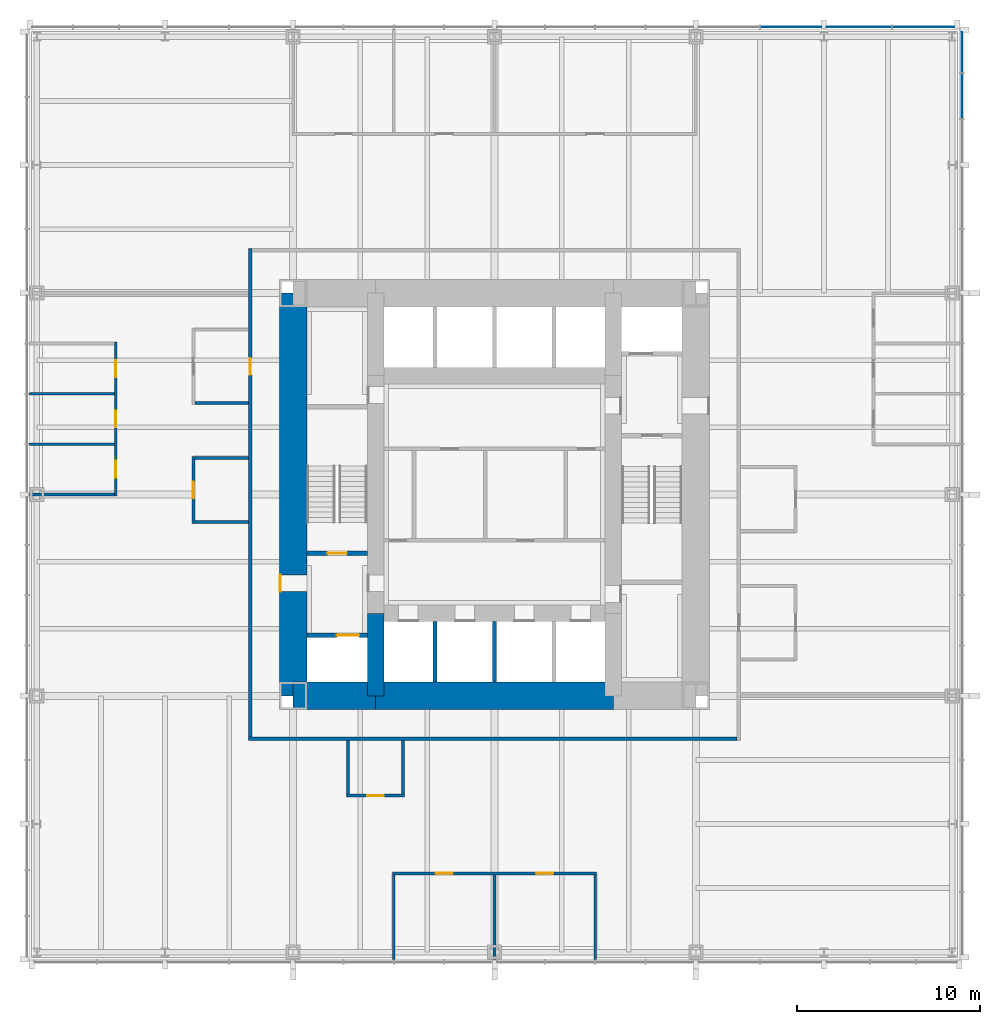
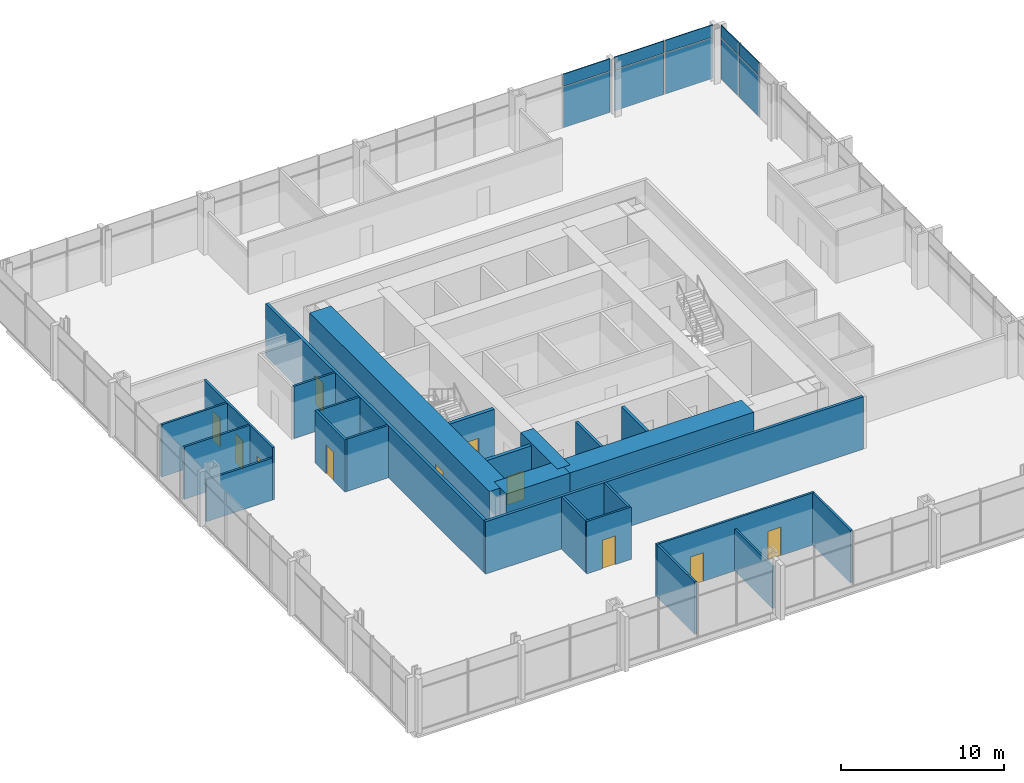
# One storey, part 9 of 12: 25 walls, 11 doors, 10 plates, 11 openings, 2 elements without a shape of their own.
"""IFC4 building model written with IfcOpenShell, lengths in metres."""

from ifc_helpers import new_model, si_unit, direction, frame, frame_2d, origin, origin_2d, place, context, subcontext, project, spatial, rectangle, extrude, material, layer, layer_set, type_object, element, fill, aggregate, save


model = new_model("IFC4")

# Units and contexts
model_context = context("Model", 3, precision=1e-05, world=origin(), true_north=direction((0.0, 1.0)))
body_context = subcontext(model_context, "Body", "Model", "MODEL_VIEW")
ifc_project = project(units=[si_unit("LENGTHUNIT", "METRE"), si_unit("AREAUNIT", "SQUARE_METRE"), si_unit("VOLUMEUNIT", "CUBIC_METRE"), si_unit("PLANEANGLEUNIT", "RADIAN"), si_unit("MASSUNIT", "GRAM", prefix="KILO")], contexts=[model_context])

# Site, building, storey
site_placement = place(None, origin())
site = spatial("IfcSite", under=ifc_project, at=site_placement, CompositionType="ELEMENT")
building_placement = place(site_placement, origin())
building = spatial("IfcBuilding", under=site, at=building_placement, Name="Trevanion Tower", CompositionType="ELEMENT")
storey_placement = place(building_placement, frame((0.0, 0.0, 57.0)))
storey = spatial("IfcBuildingStorey", under=building, at=storey_placement, Name="L13", CompositionType="ELEMENT", Elevation=57.0)

# Curtain wall, plates
ifc_material_1 = material(Name="Aluminium and glass", Category="aluminium")
curtain_wall_type = type_object("IfcCurtainWallType", Name="CW1 curtain wall", PredefinedType="USERDEFINED", material=ifc_material_1)
curtain_wall_1_placement = place(storey_placement, origin())
curtain_wall_1 = element("IfcCurtainWall", 1, at=curtain_wall_1_placement, inside=storey, type_object=curtain_wall_type, Name="CW1 L13 0", ObjectType="UNITISED CURTAIN WALL", PredefinedType="USERDEFINED")
ifc_material_2 = material(Name="Aluminium spandrel panel", Category="aluminium")
ifc_layer_1 = layer(ifc_material_2, 0.06005859375)
ifc_layer_set_1 = layer_set([ifc_layer_1], Name="CW1 spandrel panel")
plate_type_1 = type_object("IfcPlateType", Name="CW1 spandrel panel", PredefinedType="CURTAIN_PANEL", material=ifc_layer_set_1)
plate_1_placement = place(storey_placement, frame((25.550048828125, 21.77490234375, 2.997314453125), z_axis=(0.0, 0.0, 1.0), x_axis=(0.0, 1.0, 0.0)))
plate_1 = element("IfcPlate", 2, at=plate_1_placement, type_object=plate_type_1, Name="CW1 panel 16.2", PredefinedType="CURTAIN_PANEL", context=body_context, shape_type="SweptSolid", body=[
    extrude(rectangle(XDim=2.441650390625, YDim=0.06005859375, at=origin_2d()), origin(), (0.0, 0.0, 1.0), 0.91259765625),
])
plate_2_placement = place(storey_placement, frame((25.550048828125, 24.160400390625, 2.997314453125), z_axis=(0.0, 0.0, 1.0), x_axis=(0.0, 1.0, 0.0)))
plate_2 = element("IfcPlate", 3, at=plate_2_placement, type_object=plate_type_1, Name="CW1 panel 17.2", PredefinedType="CURTAIN_PANEL", context=body_context, shape_type="SweptSolid", body=[
    extrude(rectangle(XDim=2.17919921875, YDim=0.06005859375, at=origin_2d()), origin(), (0.0, 0.0, 1.0), 0.91259765625),
])

curtain_wall_2_placement = place(storey_placement, origin())
curtain_wall_2 = element("IfcCurtainWall", 4, at=curtain_wall_2_placement, inside=storey, type_object=curtain_wall_type, Name="CW1 L13 1", ObjectType="UNITISED CURTAIN WALL", PredefinedType="USERDEFINED")
plate_3_placement = place(storey_placement, frame((23.433837890625, 25.550048828125, 2.997314453125), z_axis=(0.0, 0.0, 1.0), x_axis=(-1.0, 0.0, 0.0)))
plate_3 = element("IfcPlate", 5, at=plate_3_placement, type_object=plate_type_1, Name="CW1 panel 1.2", PredefinedType="CURTAIN_PANEL", context=body_context, shape_type="SweptSolid", body=[
    extrude(rectangle(XDim=3.37255859375, YDim=0.06005859375, at=origin_2d()), origin(), (0.0, 0.0, 1.0), 0.91259765625),
])
plate_4_placement = place(storey_placement, frame((19.911376953125, 25.550048828125, 2.997314453125), z_axis=(0.0, 0.0, 1.0), x_axis=(-1.0, 0.0, 0.0)))
plate_4 = element("IfcPlate", 6, at=plate_4_placement, type_object=plate_type_1, Name="CW1 panel 2.2", PredefinedType="CURTAIN_PANEL", context=body_context, shape_type="SweptSolid", body=[
    extrude(rectangle(XDim=3.5224609375, YDim=0.06005859375, at=origin_2d()), origin(), (0.0, 0.0, 1.0), 0.91259765625),
])
plate_5_placement = place(storey_placement, frame((16.19384765625, 25.550048828125, 2.997314453125), z_axis=(0.0, 0.0, 1.0), x_axis=(-1.0, 0.0, 0.0)))
plate_5 = element("IfcPlate", 7, at=plate_5_placement, type_object=plate_type_1, Name="CW1 panel 3.2", PredefinedType="CURTAIN_PANEL", context=body_context, shape_type="SweptSolid", body=[
    extrude(rectangle(XDim=3.3125, YDim=0.06005859375, at=origin_2d()), origin(), (0.0, 0.0, 1.0), 0.91259765625),
])

# Plate
ifc_material_3 = material(Name="Insulating glass unit", Category="glass")
ifc_layer_2 = layer(ifc_material_3, 0.028076171875)
ifc_layer_set_2 = layer_set([ifc_layer_2], Name="CW1 vision panel")
plate_type_2 = type_object("IfcPlateType", Name="CW1 vision panel", PredefinedType="CURTAIN_PANEL", material=ifc_layer_set_2)
plate_6_placement = place(storey_placement, frame((25.550048828125, 21.77490234375, -0.114990234375), z_axis=(0.0, 0.0, 1.0), x_axis=(0.0, 1.0, 0.0)))
plate_6 = element("IfcPlate", 8, at=plate_6_placement, type_object=plate_type_2, Name="CW1 panel 16.1", PredefinedType="CURTAIN_PANEL", context=body_context, shape_type="SweptSolid", body=[
    extrude(rectangle(XDim=2.441650390625, YDim=0.028076171875, at=origin_2d()), origin(), (0.0, 0.0, 1.0), 3.03759765625),
])

plate_7_placement = place(storey_placement, frame((25.550048828125, 24.160400390625, -0.114990234375), z_axis=(0.0, 0.0, 1.0), x_axis=(0.0, 1.0, 0.0)))
plate_7 = element("IfcPlate", 9, at=plate_7_placement, type_object=plate_type_2, Name="CW1 panel 17.1", PredefinedType="CURTAIN_PANEL", context=body_context, shape_type="SweptSolid", body=[
    extrude(rectangle(XDim=2.17919921875, YDim=0.028076171875, at=origin_2d()), origin(), (0.0, 0.0, 1.0), 3.03759765625),
])

aggregate(curtain_wall_1, [plate_6, plate_1, plate_7, plate_2])

plate_8_placement = place(storey_placement, frame((23.433837890625, 25.550048828125, -0.114990234375), z_axis=(0.0, 0.0, 1.0), x_axis=(-1.0, 0.0, 0.0)))
plate_8 = element("IfcPlate", 10, at=plate_8_placement, type_object=plate_type_2, Name="CW1 panel 1.1", PredefinedType="CURTAIN_PANEL", context=body_context, shape_type="SweptSolid", body=[
    extrude(rectangle(XDim=3.37255859375, YDim=0.028076171875, at=origin_2d()), origin(), (0.0, 0.0, 1.0), 3.03759765625),
])

plate_9_placement = place(storey_placement, frame((19.911376953125, 25.550048828125, -0.114990234375), z_axis=(0.0, 0.0, 1.0), x_axis=(-1.0, 0.0, 0.0)))
plate_9 = element("IfcPlate", 11, at=plate_9_placement, type_object=plate_type_2, Name="CW1 panel 2.1", PredefinedType="CURTAIN_PANEL", context=body_context, shape_type="SweptSolid", body=[
    extrude(rectangle(XDim=3.5224609375, YDim=0.028076171875, at=origin_2d()), origin(), (0.0, 0.0, 1.0), 3.03759765625),
])

plate_10_placement = place(storey_placement, frame((16.19384765625, 25.550048828125, -0.114990234375), z_axis=(0.0, 0.0, 1.0), x_axis=(-1.0, 0.0, 0.0)))
plate_10 = element("IfcPlate", 12, at=plate_10_placement, type_object=plate_type_2, Name="CW1 panel 3.1", PredefinedType="CURTAIN_PANEL", context=body_context, shape_type="SweptSolid", body=[
    extrude(rectangle(XDim=3.3125, YDim=0.028076171875, at=origin_2d()), origin(), (0.0, 0.0, 1.0), 3.03759765625),
])

aggregate(curtain_wall_2, [plate_8, plate_3, plate_9, plate_4, plate_10, plate_5])

# Wall, opening, door
ifc_material_4 = material(Name="Concrete 10,000 psi", Category="concrete")
ifc_layer_3 = layer(ifc_material_4, 1.5)
ifc_layer_set_3 = layer_set([ifc_layer_3], Name="CW1 core wall 1500")
wall_type_1 = type_object("IfcWallType", Name="CW1 core wall 1500", PredefinedType="SHEAR", material=ifc_layer_set_3)
wall_1_placement = place(storey_placement, frame((-11.0, 11.0, 0.0), z_axis=(0.0, 0.0, 1.0), x_axis=(0.0, -1.0, 0.0)))
wall_1 = element("IfcWall", 13, at=wall_1_placement, inside=storey, type_object=wall_type_1, Name="CW1 CW L13", PredefinedType="SHEAR", context=body_context, shape_type="SweptSolid", body=[
    extrude(rectangle(XDim=22.0, YDim=1.5, at=frame_2d((11.0, 0.0))), origin(), (0.0, 0.0, 1.0), 4.10009765625),
])
opening_1_placement = place(wall_1_placement, frame((15.392578125, 0.0, 0.0)))
opening_1 = element("IfcOpeningElement", 14, at=opening_1_placement, cuts=wall_1, Name="Opening 13-002", PredefinedType="OPENING", context=body_context, shape_type="SweptSolid", body=[
    extrude(rectangle(XDim=0.9150390625, YDim=2.134033203125, at=frame_2d((0.45751953125, 1.06689453125))), frame((0.0, 0.760009765625, 0.0), z_axis=(0.0, -1.0, 0.0), x_axis=(1.0, 0.0, 0.0)), (0.0, 0.0, 1.0), 1.52001953125),
])
ifc_material_5 = material(Name="Hollow metal, fire rated", Category="steel")
door_type_1 = type_object("IfcDoorType", Name="D3 fire lift lobby door", OperationType="SINGLE_SWING_RIGHT", PredefinedType="DOOR", material=ifc_material_5)
door_1_placement = place(opening_1_placement, origin())
door_1 = element("IfcDoor", 15, at=door_1_placement, inside=storey, type_object=door_type_1, Name="Door 13-002", OperationType="SINGLE_SWING_RIGHT", OverallHeight=2.134033203125, OverallWidth=0.9150390625, PredefinedType="DOOR", context=body_context, shape_type="SweptSolid", body=[
    extrude(rectangle(XDim=0.9150390625, YDim=2.134033203125, at=frame_2d((0.45751953125, 1.06689453125))), frame((0.0, -0.6748046875, 0.0), z_axis=(0.0, -1.0, 0.0), x_axis=(1.0, 0.0, 0.0)), (0.0, 0.0, 1.0), 0.050048828125),
])
fill(opening_1, door_1)

# Walls
wall_2_placement = place(storey_placement, frame((-11.0, -11.0, 0.0), z_axis=(0.0, 0.0, 1.0), x_axis=(1.0, 0.0, 0.0)))
element("IfcWall", 16, at=wall_2_placement, inside=storey, type_object=wall_type_1, Name="CW1 CS1 L13", PredefinedType="SHEAR", context=body_context, shape_type="SweptSolid", body=[
    extrude(rectangle(XDim=4.5, YDim=1.5, at=frame_2d((2.25, 0.0))), origin(), (0.0, 0.0, 1.0), 4.10009765625),
])
wall_3_placement = place(storey_placement, frame((-6.5, -11.0, 0.0), z_axis=(0.0, 0.0, 1.0), x_axis=(1.0, 0.0, 0.0)))
element("IfcWall", 17, at=wall_3_placement, inside=storey, type_object=wall_type_1, Name="CW1 CS2 L13", PredefinedType="SHEAR", context=body_context, shape_type="SweptSolid", body=[
    extrude(rectangle(XDim=13.0, YDim=1.5, at=frame_2d((6.5, 0.0))), origin(), (0.0, 0.0, 1.0), 4.10009765625),
])
ifc_material_6 = material(Name="Concrete 10,000 psi", Category="concrete")
ifc_layer_4 = layer(ifc_material_6, 0.89990234375)
ifc_layer_set_4 = layer_set([ifc_layer_4], Name="CW2 core wall 900")
wall_type_2 = type_object("IfcWallType", Name="CW2 core wall 900", PredefinedType="SHEAR", material=ifc_layer_set_4)
wall_4_placement = place(storey_placement, frame((-6.5, -6.5, 0.0), z_axis=(0.0, 0.0, 1.0), x_axis=(0.0, -1.0, 0.0)))
element("IfcWall", 18, at=wall_4_placement, inside=storey, type_object=wall_type_2, Name="CW2 RW3 L13", PredefinedType="SHEAR", context=body_context, shape_type="SweptSolid", body=[
    extrude(rectangle(XDim=4.5, YDim=0.89990234375, at=frame_2d((2.25, 0.0))), origin(), (0.0, 0.0, 1.0), 4.10009765625),
])

# Wall, openings, doors
ifc_material_7 = material(Name="Gypsum board on steel studs", Category="steel")
ifc_layer_5 = layer(ifc_material_7, 0.14990234375)
ifc_layer_set_5 = layer_set([ifc_layer_5], Name="PT1 partition 150")
wall_type_3 = type_object("IfcWallType", Name="PT1 partition 150", PredefinedType="PARTITIONING", material=ifc_layer_set_5)
wall_5_placement = place(storey_placement, frame((-5.574951171875, -20.699951171875, 0.0), z_axis=(0.0, 0.0, 1.0), x_axis=(1.0, 0.0, 0.0)))
wall_5 = element("IfcWall", 19, at=wall_5_placement, inside=storey, type_object=wall_type_3, Name="PT1 L13 FC3F", PredefinedType="PARTITIONING", context=body_context, shape_type="SweptSolid", body=[
    extrude(rectangle(XDim=11.14990234375, YDim=0.14990234375, at=frame_2d((5.574951171875, 0.0))), origin(), (0.0, 0.0, 1.0), 3.909912109375),
])
opening_2_placement = place(wall_5_placement, frame((2.367431640625, 0.0, 0.0)))
opening_2 = element("IfcOpeningElement", 20, at=opening_2_placement, cuts=wall_5, Name="Opening 13-022", PredefinedType="OPENING", context=body_context, shape_type="SweptSolid", body=[
    extrude(rectangle(XDim=0.9150390625, YDim=2.134033203125, at=frame_2d((0.45751953125, 1.06689453125))), frame((0.0, 0.0849609375, 0.0), z_axis=(0.0, -1.0, 0.0), x_axis=(1.0, 0.0, 0.0)), (0.0, 0.0, 1.0), 0.169921875),
])
opening_3_placement = place(wall_5_placement, frame((7.867431640625, 0.0, 0.0)))
opening_3 = element("IfcOpeningElement", 21, at=opening_3_placement, cuts=wall_5, Name="Opening 13-023", PredefinedType="OPENING", context=body_context, shape_type="SweptSolid", body=[
    extrude(rectangle(XDim=0.9150390625, YDim=2.134033203125, at=frame_2d((0.45751953125, 1.06689453125))), frame((0.0, 0.0849609375, 0.0), z_axis=(0.0, -1.0, 0.0), x_axis=(1.0, 0.0, 0.0)), (0.0, 0.0, 1.0), 0.169921875),
])
ifc_material_8 = material(Name="Timber veneer, solid core", Category="wood")
door_type_2 = type_object("IfcDoorType", Name="D1 office and meeting room door", OperationType="SINGLE_SWING_LEFT", PredefinedType="DOOR", material=ifc_material_8)
door_2_placement = place(opening_2_placement, origin())
door_2 = element("IfcDoor", 22, at=door_2_placement, inside=storey, type_object=door_type_2, Name="Door 13-022", OperationType="SINGLE_SWING_LEFT", OverallHeight=2.134033203125, OverallWidth=0.9150390625, PredefinedType="DOOR", context=body_context, shape_type="SweptSolid", body=[
    extrude(rectangle(XDim=0.9150390625, YDim=2.134033203125, at=frame_2d((0.45751953125, 1.06689453125))), frame((0.0, 0.02490234375, 0.0), z_axis=(0.0, -1.0, 0.0), x_axis=(1.0, 0.0, 0.0)), (0.0, 0.0, 1.0), 0.050048828125),
])
fill(opening_2, door_2)
door_3_placement = place(opening_3_placement, origin())
door_3 = element("IfcDoor", 23, at=door_3_placement, inside=storey, type_object=door_type_2, Name="Door 13-023", OperationType="SINGLE_SWING_LEFT", OverallHeight=2.134033203125, OverallWidth=0.9150390625, PredefinedType="DOOR", context=body_context, shape_type="SweptSolid", body=[
    extrude(rectangle(XDim=0.9150390625, YDim=2.134033203125, at=frame_2d((0.45751953125, 1.06689453125))), frame((0.0, 0.02490234375, 0.0), z_axis=(0.0, -1.0, 0.0), x_axis=(1.0, 0.0, 0.0)), (0.0, 0.0, 1.0), 0.050048828125),
])
fill(opening_3, door_3)

# Walls
wall_6_placement = place(storey_placement, frame((-5.5, -20.77490234375, 0.0), z_axis=(0.0, 0.0, 1.0), x_axis=(0.0, -1.0, 0.0)))
element("IfcWall", 24, at=wall_6_placement, inside=storey, type_object=wall_type_3, Name="PT1 L13 FC3S0", PredefinedType="PARTITIONING", context=body_context, shape_type="SweptSolid", body=[
    extrude(rectangle(XDim=4.64013671875, YDim=0.14990234375, at=frame_2d((2.320068359375, 0.0))), origin(), (0.0, 0.0, 1.0), 3.909912109375),
])
wall_7_placement = place(storey_placement, frame((0.0, -20.77490234375, 0.0), z_axis=(0.0, 0.0, 1.0), x_axis=(0.0, -1.0, 0.0)))
element("IfcWall", 25, at=wall_7_placement, inside=storey, type_object=wall_type_3, Name="PT1 L13 FC3S2", PredefinedType="PARTITIONING", context=body_context, shape_type="SweptSolid", body=[
    extrude(rectangle(XDim=4.64013671875, YDim=0.14990234375, at=frame_2d((2.320068359375, 0.0))), origin(), (0.0, 0.0, 1.0), 3.130126953125),
])
wall_8_placement = place(storey_placement, frame((5.5, -20.77490234375, 0.0), z_axis=(0.0, 0.0, 1.0), x_axis=(0.0, -1.0, 0.0)))
element("IfcWall", 26, at=wall_8_placement, inside=storey, type_object=wall_type_3, Name="PT1 L13 FC3S4", PredefinedType="PARTITIONING", context=body_context, shape_type="SweptSolid", body=[
    extrude(rectangle(XDim=4.64013671875, YDim=0.14990234375, at=frame_2d((2.320068359375, 0.0))), origin(), (0.0, 0.0, 1.0), 3.909912109375),
])

# Wall, openings, doors
wall_9_placement = place(storey_placement, frame((-20.699951171875, 8.324951171875, 0.0), z_axis=(0.0, 0.0, 1.0), x_axis=(0.0, -1.0, 0.0)))
wall_9 = element("IfcWall", 27, at=wall_9_placement, inside=storey, type_object=wall_type_3, Name="PT1 L13 FC2F", PredefinedType="PARTITIONING", context=body_context, shape_type="SweptSolid", body=[
    extrude(rectangle(XDim=8.39990234375, YDim=0.14990234375, at=frame_2d((4.199951171875, 0.0))), origin(), (0.0, 0.0, 1.0), 3.909912109375),
])
opening_4_placement = place(wall_9_placement, frame((0.992431640625, 0.0, 0.0)))
opening_4 = element("IfcOpeningElement", 28, at=opening_4_placement, cuts=wall_9, Name="Opening 13-027", PredefinedType="OPENING", context=body_context, shape_type="SweptSolid", body=[
    extrude(rectangle(XDim=0.9150390625, YDim=2.134033203125, at=frame_2d((0.45751953125, 1.06689453125))), frame((0.0, 0.0849609375, 0.0), z_axis=(0.0, -1.0, 0.0), x_axis=(1.0, 0.0, 0.0)), (0.0, 0.0, 1.0), 0.169921875),
])
opening_5_placement = place(wall_9_placement, frame((3.742431640625, 0.0, 0.0)))
opening_5 = element("IfcOpeningElement", 29, at=opening_5_placement, cuts=wall_9, Name="Opening 13-028", PredefinedType="OPENING", context=body_context, shape_type="SweptSolid", body=[
    extrude(rectangle(XDim=0.9150390625, YDim=2.134033203125, at=frame_2d((0.45751953125, 1.06689453125))), frame((0.0, 0.0849609375, 0.0), z_axis=(0.0, -1.0, 0.0), x_axis=(1.0, 0.0, 0.0)), (0.0, 0.0, 1.0), 0.169921875),
])
opening_6_placement = place(wall_9_placement, frame((6.492431640625, 0.0, 0.0)))
opening_6 = element("IfcOpeningElement", 30, at=opening_6_placement, cuts=wall_9, Name="Opening 13-029", PredefinedType="OPENING", context=body_context, shape_type="SweptSolid", body=[
    extrude(rectangle(XDim=0.9150390625, YDim=2.134033203125, at=frame_2d((0.45751953125, 1.06689453125))), frame((0.0, 0.0849609375, 0.0), z_axis=(0.0, -1.0, 0.0), x_axis=(1.0, 0.0, 0.0)), (0.0, 0.0, 1.0), 0.169921875),
])
door_4_placement = place(opening_4_placement, origin())
door_4 = element("IfcDoor", 31, at=door_4_placement, inside=storey, type_object=door_type_2, Name="Door 13-027", OperationType="SINGLE_SWING_LEFT", OverallHeight=2.134033203125, OverallWidth=0.9150390625, PredefinedType="DOOR", context=body_context, shape_type="SweptSolid", body=[
    extrude(rectangle(XDim=0.9150390625, YDim=2.134033203125, at=frame_2d((0.45751953125, 1.06689453125))), frame((0.0, 0.02490234375, 0.0), z_axis=(0.0, -1.0, 0.0), x_axis=(1.0, 0.0, 0.0)), (0.0, 0.0, 1.0), 0.050048828125),
])
fill(opening_4, door_4)
door_5_placement = place(opening_5_placement, origin())
door_5 = element("IfcDoor", 32, at=door_5_placement, inside=storey, type_object=door_type_2, Name="Door 13-028", OperationType="SINGLE_SWING_LEFT", OverallHeight=2.134033203125, OverallWidth=0.9150390625, PredefinedType="DOOR", context=body_context, shape_type="SweptSolid", body=[
    extrude(rectangle(XDim=0.9150390625, YDim=2.134033203125, at=frame_2d((0.45751953125, 1.06689453125))), frame((0.0, 0.02490234375, 0.0), z_axis=(0.0, -1.0, 0.0), x_axis=(1.0, 0.0, 0.0)), (0.0, 0.0, 1.0), 0.050048828125),
])
fill(opening_5, door_5)
door_6_placement = place(opening_6_placement, origin())
door_6 = element("IfcDoor", 33, at=door_6_placement, inside=storey, type_object=door_type_2, Name="Door 13-029", OperationType="SINGLE_SWING_LEFT", OverallHeight=2.134033203125, OverallWidth=0.9150390625, PredefinedType="DOOR", context=body_context, shape_type="SweptSolid", body=[
    extrude(rectangle(XDim=0.9150390625, YDim=2.134033203125, at=frame_2d((0.45751953125, 1.06689453125))), frame((0.0, 0.02490234375, 0.0), z_axis=(0.0, -1.0, 0.0), x_axis=(1.0, 0.0, 0.0)), (0.0, 0.0, 1.0), 0.050048828125),
])
fill(opening_6, door_6)

# Walls
for number, where, z_axis, x_axis, name in (
    (34, (-20.77490234375, 5.5, 0.0), (0.0, 0.0, 1.0), (-1.0, 0.0, 0.0), "PT1 L13 FC2S1"),
    (35, (-20.77490234375, 2.75, 0.0), (0.0, 0.0, 1.0), (-1.0, 0.0, 0.0), "PT1 L13 FC2S2"),
):
    element("IfcWall", number, at=place(storey_placement, frame(where, z_axis=z_axis, x_axis=x_axis)), inside=storey, type_object=wall_type_3, Name=name, PredefinedType="PARTITIONING", context=body_context, shape_type="SweptSolid", body=[
        extrude(rectangle(XDim=4.64013671875, YDim=0.14990234375, at=frame_2d((2.320068359375, 0.0))), origin(), (0.0, 0.0, 1.0), 3.909912109375),
    ])
wall_10_placement = place(storey_placement, frame((-20.77490234375, 0.0, 0.0), z_axis=(0.0, 0.0, 1.0), x_axis=(-1.0, 0.0, 0.0)))
element("IfcWall", 36, at=wall_10_placement, inside=storey, type_object=wall_type_3, Name="PT1 L13 FC2S3", PredefinedType="PARTITIONING", context=body_context, shape_type="SweptSolid", body=[
    extrude(rectangle(XDim=4.64013671875, YDim=0.14990234375, at=frame_2d((2.320068359375, 0.0))), origin(), (0.0, 0.0, 1.0), 3.130126953125),
])
wall_11_placement = place(storey_placement, frame((-16.375, 5.0, 0.0), z_axis=(0.0, 0.0, 1.0), x_axis=(1.0, 0.0, 0.0)))
element("IfcWall", 37, at=wall_11_placement, inside=storey, type_object=wall_type_3, Name="PT1 L13 IN20S1", PredefinedType="PARTITIONING", context=body_context, shape_type="SweptSolid", body=[
    extrude(rectangle(XDim=2.925048828125, YDim=0.14990234375, at=frame_2d((1.46240234375, 0.0))), origin(), (0.0, 0.0, 1.0), 3.909912109375),
])

# Wall, opening, door
wall_12_placement = place(storey_placement, frame((-16.449951171875, 2.074951171875, 0.0), z_axis=(0.0, 0.0, 1.0), x_axis=(0.0, -1.0, 0.0)))
wall_12 = element("IfcWall", 38, at=wall_12_placement, inside=storey, type_object=wall_type_3, Name="PT1 L13 IN21F", PredefinedType="PARTITIONING", context=body_context, shape_type="SweptSolid", body=[
    extrude(rectangle(XDim=3.64990234375, YDim=0.14990234375, at=frame_2d((1.824951171875, 0.0))), origin(), (0.0, 0.0, 1.0), 3.909912109375),
])
opening_7_placement = place(wall_12_placement, frame((1.367431640625, 0.0, 0.0)))
opening_7 = element("IfcOpeningElement", 39, at=opening_7_placement, cuts=wall_12, Name="Opening 13-035", PredefinedType="OPENING", context=body_context, shape_type="SweptSolid", body=[
    extrude(rectangle(XDim=0.9150390625, YDim=2.134033203125, at=frame_2d((0.45751953125, 1.06689453125))), frame((0.0, 0.0849609375, 0.0), z_axis=(0.0, -1.0, 0.0), x_axis=(1.0, 0.0, 0.0)), (0.0, 0.0, 1.0), 0.169921875),
])
door_7_placement = place(opening_7_placement, origin())
door_7 = element("IfcDoor", 40, at=door_7_placement, inside=storey, type_object=door_type_2, Name="Door 13-035", OperationType="SINGLE_SWING_LEFT", OverallHeight=2.134033203125, OverallWidth=0.9150390625, PredefinedType="DOOR", context=body_context, shape_type="SweptSolid", body=[
    extrude(rectangle(XDim=0.9150390625, YDim=2.134033203125, at=frame_2d((0.45751953125, 1.06689453125))), frame((0.0, 0.02490234375, 0.0), z_axis=(0.0, -1.0, 0.0), x_axis=(1.0, 0.0, 0.0)), (0.0, 0.0, 1.0), 0.050048828125),
])
fill(opening_7, door_7)

# Walls
for number, where, z_axis, x_axis, name in (
    (41, (-16.375, 2.0, 0.0), (0.0, 0.0, 1.0), (1.0, 0.0, 0.0), "PT1 L13 IN21S0"),
    (42, (-16.375, -1.5, 0.0), (0.0, 0.0, 1.0), (1.0, 0.0, 0.0), "PT1 L13 IN21S1"),
):
    element("IfcWall", number, at=place(storey_placement, frame(where, z_axis=z_axis, x_axis=x_axis)), inside=storey, type_object=wall_type_3, Name=name, PredefinedType="PARTITIONING", context=body_context, shape_type="SweptSolid", body=[
        extrude(rectangle(XDim=2.925048828125, YDim=0.14990234375, at=frame_2d((1.46240234375, 0.0))), origin(), (0.0, 0.0, 1.0), 3.909912109375),
    ])

# Wall, opening, door
wall_13_placement = place(storey_placement, frame((-8.074951171875, -16.449951171875, 0.0), z_axis=(0.0, 0.0, 1.0), x_axis=(1.0, 0.0, 0.0)))
wall_13 = element("IfcWall", 43, at=wall_13_placement, inside=storey, type_object=wall_type_3, Name="PT1 L13 IN30F", PredefinedType="PARTITIONING", context=body_context, shape_type="SweptSolid", body=[
    extrude(rectangle(XDim=3.14990234375, YDim=0.14990234375, at=frame_2d((1.574951171875, 0.0))), origin(), (0.0, 0.0, 1.0), 3.909912109375),
])
opening_8_placement = place(wall_13_placement, frame((1.117431640625, 0.0, 0.0)))
opening_8 = element("IfcOpeningElement", 44, at=opening_8_placement, cuts=wall_13, Name="Opening 13-036", PredefinedType="OPENING", context=body_context, shape_type="SweptSolid", body=[
    extrude(rectangle(XDim=0.9150390625, YDim=2.134033203125, at=frame_2d((0.45751953125, 1.06689453125))), frame((0.0, 0.0849609375, 0.0), z_axis=(0.0, -1.0, 0.0), x_axis=(1.0, 0.0, 0.0)), (0.0, 0.0, 1.0), 0.169921875),
])
door_8_placement = place(opening_8_placement, origin())
door_8 = element("IfcDoor", 45, at=door_8_placement, inside=storey, type_object=door_type_2, Name="Door 13-036", OperationType="SINGLE_SWING_LEFT", OverallHeight=2.134033203125, OverallWidth=0.9150390625, PredefinedType="DOOR", context=body_context, shape_type="SweptSolid", body=[
    extrude(rectangle(XDim=0.9150390625, YDim=2.134033203125, at=frame_2d((0.45751953125, 1.06689453125))), frame((0.0, 0.02490234375, 0.0), z_axis=(0.0, -1.0, 0.0), x_axis=(1.0, 0.0, 0.0)), (0.0, 0.0, 1.0), 0.050048828125),
])
fill(opening_8, door_8)

# Walls
for number, where, z_axis, x_axis, name in (
    (46, (-8.0, -16.375, 0.0), (0.0, 0.0, 1.0), (0.0, 1.0, 0.0), "PT1 L13 IN30S0"),
    (47, (-5.0, -16.375, 0.0), (0.0, 0.0, 1.0), (0.0, 1.0, 0.0), "PT1 L13 IN30S1"),
):
    element("IfcWall", number, at=place(storey_placement, frame(where, z_axis=z_axis, x_axis=x_axis)), inside=storey, type_object=wall_type_3, Name=name, PredefinedType="PARTITIONING", context=body_context, shape_type="SweptSolid", body=[
        extrude(rectangle(XDim=2.925048828125, YDim=0.14990234375, at=frame_2d((1.46240234375, 0.0))), origin(), (0.0, 0.0, 1.0), 3.909912109375),
    ])

# Wall, opening, door
ifc_material_9 = material(Name="Concrete masonry, grouted", Category="masonry")
ifc_layer_6 = layer(ifc_material_9, 0.199951171875)
ifc_layer_set_6 = layer_set([ifc_layer_6], Name="PT2 partition 200 1 HR")
wall_type_4 = type_object("IfcWallType", Name="PT2 partition 200 1 HR", PredefinedType="PARTITIONING", material=ifc_layer_set_6)
wall_14_placement = place(storey_placement, frame((-13.35009765625, 13.449951171875, 0.0), z_axis=(0.0, 0.0, 1.0), x_axis=(0.0, -1.0, 0.0)))
wall_14 = element("IfcWall", 48, at=wall_14_placement, inside=storey, type_object=wall_type_4, Name="PT2 L13 OC2", PredefinedType="PARTITIONING", context=body_context, shape_type="SweptSolid", body=[
    extrude(rectangle(XDim=26.699951171875, YDim=0.199951171875, at=frame_2d((13.35009765625, 0.0))), origin(), (0.0, 0.0, 1.0), 3.909912109375),
])
opening_9_placement = place(wall_14_placement, frame((5.992431640625, 0.0, 0.0)))
opening_9 = element("IfcOpeningElement", 49, at=opening_9_placement, cuts=wall_14, Name="Opening 13-034", PredefinedType="OPENING", context=body_context, shape_type="SweptSolid", body=[
    extrude(rectangle(XDim=0.9150390625, YDim=2.134033203125, at=frame_2d((0.45751953125, 1.06689453125))), frame((0.0, 0.10986328125, 0.0), z_axis=(0.0, -1.0, 0.0), x_axis=(1.0, 0.0, 0.0)), (0.0, 0.0, 1.0), 0.219970703125),
])
ifc_material_10 = material(Name="Timber veneer, fire rated", Category="wood")
door_type_3 = type_object("IfcDoorType", Name="D10 office door in a one hour wall", OperationType="SINGLE_SWING_LEFT", PredefinedType="DOOR", material=ifc_material_10)
door_9_placement = place(opening_9_placement, origin())
door_9 = element("IfcDoor", 50, at=door_9_placement, inside=storey, type_object=door_type_3, Name="Door 13-034", OperationType="SINGLE_SWING_LEFT", OverallHeight=2.134033203125, OverallWidth=0.9150390625, PredefinedType="DOOR", context=body_context, shape_type="SweptSolid", body=[
    extrude(rectangle(XDim=0.9150390625, YDim=2.134033203125, at=frame_2d((0.45751953125, 1.06689453125))), frame((0.0, 0.02490234375, 0.0), z_axis=(0.0, -1.0, 0.0), x_axis=(1.0, 0.0, 0.0)), (0.0, 0.0, 1.0), 0.050048828125),
])
fill(opening_9, door_9)

# Walls
wall_15_placement = place(storey_placement, frame((-13.449951171875, -13.35009765625, 0.0), z_axis=(0.0, 0.0, 1.0), x_axis=(1.0, 0.0, 0.0)))
element("IfcWall", 51, at=wall_15_placement, inside=storey, type_object=wall_type_4, Name="PT2 L13 OC3", PredefinedType="PARTITIONING", context=body_context, shape_type="SweptSolid", body=[
    extrude(rectangle(XDim=26.699951171875, YDim=0.199951171875, at=frame_2d((13.35009765625, 0.0))), origin(), (0.0, 0.0, 1.0), 3.909912109375),
])
ifc_material_11 = material(Name="Concrete masonry, grouted", Category="masonry")
ifc_layer_7 = layer(ifc_material_11, 0.199951171875)
ifc_layer_set_7 = layer_set([ifc_layer_7], Name="PT2 partition 200 2 HR")
wall_type_5 = type_object("IfcWallType", Name="PT2 partition 200 2 HR", PredefinedType="PARTITIONING", material=ifc_layer_set_7)
for number, where, z_axis, x_axis, name in (
    (52, (-3.25, -10.25, 0.0), (0.0, 0.0, 1.0), (0.0, 1.0, 0.0), "PT2 L13 SS0"),
    (53, (0.0, -10.25, 0.0), (0.0, 0.0, 1.0), (0.0, 1.0, 0.0), "PT2 L13 SS1"),
):
    element("IfcWall", number, at=place(storey_placement, frame(where, z_axis=z_axis, x_axis=x_axis)), inside=storey, type_object=wall_type_5, Name=name, PredefinedType="PARTITIONING", context=body_context, shape_type="SweptSolid", body=[
        extrude(rectangle(XDim=3.300048828125, YDim=0.199951171875, at=frame_2d((1.64990234375, 0.0))), origin(), (0.0, 0.0, 1.0), 3.909912109375),
    ])

# Wall, opening, door
ifc_material_12 = material(Name="Concrete masonry, grouted, two-hour", Category="masonry")
ifc_layer_8 = layer(ifc_material_12, 0.25)
ifc_layer_set_8 = layer_set([ifc_layer_8], Name="PT3 partition 250 2 HR")
wall_type_6 = type_object("IfcWallType", Name="PT3 partition 250 2 HR", PredefinedType="PARTITIONING", material=ifc_layer_set_8)
wall_16_placement = place(storey_placement, frame((-6.949951171875, -7.699951171875, 0.0), z_axis=(0.0, 0.0, 1.0), x_axis=(-1.0, 0.0, 0.0)))
wall_16 = element("IfcWall", 54, at=wall_16_placement, inside=storey, type_object=wall_type_6, Name="PT3 L13 WP3", PredefinedType="PARTITIONING", context=body_context, shape_type="SweptSolid", body=[
    extrude(rectangle(XDim=3.300048828125, YDim=0.25, at=frame_2d((1.64990234375, 0.0))), origin(), (0.0, 0.0, 1.0), 3.909912109375),
])
opening_10_placement = place(wall_16_placement, frame((0.449951171875, 0.0, 0.0)))
opening_10 = element("IfcOpeningElement", 55, at=opening_10_placement, cuts=wall_16, Name="Opening 13-008", PredefinedType="OPENING", context=body_context, shape_type="SweptSolid", body=[
    extrude(rectangle(XDim=1.218994140625, YDim=2.134033203125, at=frame_2d((0.609375, 1.06689453125))), frame((0.0, 0.135009765625, 0.0), z_axis=(0.0, -1.0, 0.0), x_axis=(1.0, 0.0, 0.0)), (0.0, 0.0, 1.0), 0.27001953125),
])
ifc_material_13 = material(Name="Stainless steel, fire rated", Category="steel")
door_type_4 = type_object("IfcDoorType", Name="LD2 fire service lift landing door", OperationType="SLIDING_TO_LEFT", PredefinedType="DOOR", material=ifc_material_13)
door_10_placement = place(opening_10_placement, origin())
door_10 = element("IfcDoor", 56, at=door_10_placement, inside=storey, type_object=door_type_4, Name="Door 13-008", OperationType="SLIDING_TO_LEFT", OverallHeight=2.134033203125, OverallWidth=1.218994140625, PredefinedType="DOOR", context=body_context, shape_type="SweptSolid", body=[
    extrude(rectangle(XDim=1.218994140625, YDim=2.134033203125, at=frame_2d((0.609375, 1.06689453125))), frame((0.0, 0.02490234375, 0.0), z_axis=(0.0, -1.0, 0.0), x_axis=(1.0, 0.0, 0.0)), (0.0, 0.0, 1.0), 0.050048828125),
])
fill(opening_10, door_10)

ifc_material_14 = material(Name="Reinforced masonry, fully grouted", Category="masonry")
ifc_layer_9 = layer(ifc_material_14, 0.25)
ifc_layer_set_9 = layer_set([ifc_layer_9], Name="SW1 stair shaft wall 250")
wall_type_7 = type_object("IfcWallType", Name="SW1 stair shaft wall 250", PredefinedType="SOLIDWALL", material=ifc_layer_set_9)
wall_17_placement = place(storey_placement, frame((-6.949951171875, -3.199951171875, 0.0), z_axis=(0.0, 0.0, 1.0), x_axis=(-1.0, 0.0, 0.0)))
wall_17 = element("IfcWall", 57, at=wall_17_placement, inside=storey, type_object=wall_type_7, Name="SW1 L13 WP2", PredefinedType="SOLIDWALL", context=body_context, shape_type="SweptSolid", body=[
    extrude(rectangle(XDim=3.300048828125, YDim=0.25, at=frame_2d((1.64990234375, 0.0))), origin(), (0.0, 0.0, 1.0), 3.909912109375),
])
opening_11_placement = place(wall_17_placement, frame((1.116455078125, 0.0, 0.0)))
opening_11 = element("IfcOpeningElement", 58, at=opening_11_placement, cuts=wall_17, Name="Opening 13-006", PredefinedType="OPENING", context=body_context, shape_type="SweptSolid", body=[
    extrude(rectangle(XDim=1.06689453125, YDim=2.134033203125, at=frame_2d((0.533447265625, 1.06689453125))), frame((0.0, 0.135009765625, 0.0), z_axis=(0.0, -1.0, 0.0), x_axis=(1.0, 0.0, 0.0)), (0.0, 0.0, 1.0), 0.27001953125),
])
ifc_material_15 = material(Name="Hollow metal, fire rated", Category="steel")
door_type_5 = type_object("IfcDoorType", Name="D2 exit stair door", OperationType="SINGLE_SWING_LEFT", PredefinedType="DOOR", material=ifc_material_15)
door_11_placement = place(opening_11_placement, origin())
door_11 = element("IfcDoor", 59, at=door_11_placement, inside=storey, type_object=door_type_5, Name="Door 13-006", OperationType="SINGLE_SWING_LEFT", OverallHeight=2.134033203125, OverallWidth=1.06689453125, PredefinedType="DOOR", context=body_context, shape_type="SweptSolid", body=[
    extrude(rectangle(XDim=1.06689453125, YDim=2.134033203125, at=frame_2d((0.533447265625, 1.06689453125))), frame((0.0, 0.02490234375, 0.0), z_axis=(0.0, -1.0, 0.0), x_axis=(1.0, 0.0, 0.0)), (0.0, 0.0, 1.0), 0.050048828125),
])
fill(opening_11, door_11)

save(model, "model.ifc")
